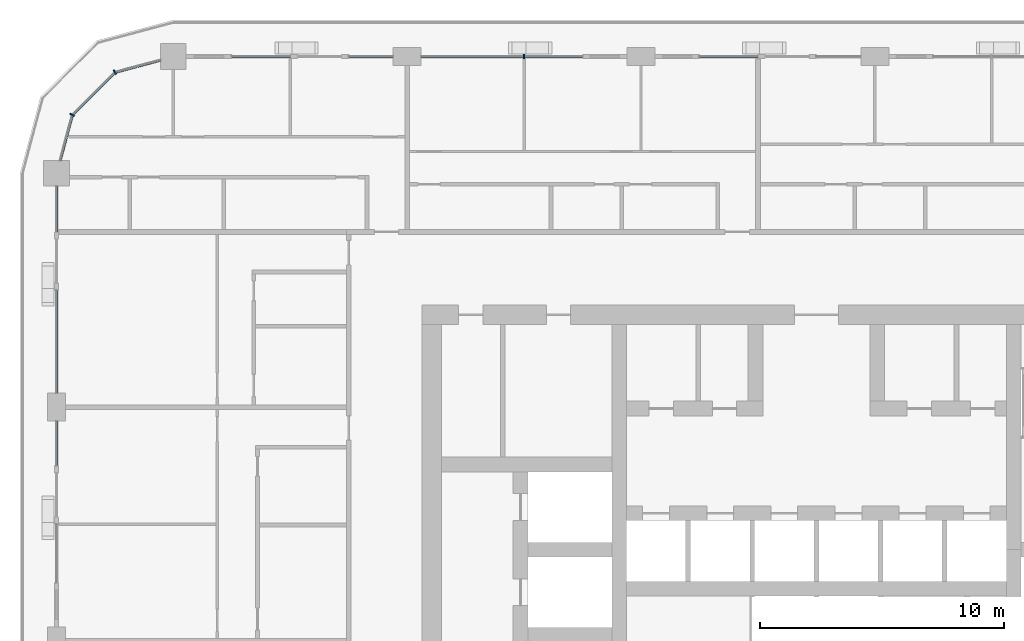
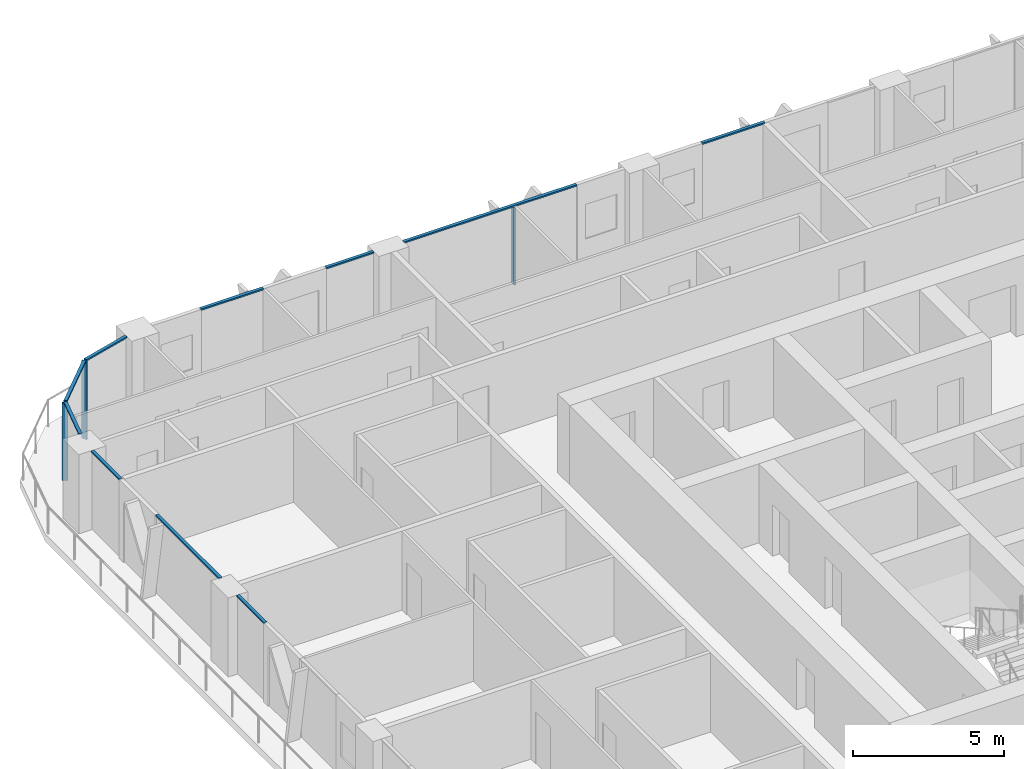
# One storey, part 5 of 22: 13 members, 6 elements without a shape of their own.
"""IFC4 building model written with IfcOpenShell, lengths in metres."""

from ifc_helpers import new_model, si_unit, direction, frame, origin, origin_2d, place, context, subcontext, project, spatial, rectangle, extrude, material, layer, layer_set, material_profile, profile_set, type_object, element, aggregate, save


model = new_model("IFC4")

# Units and contexts
model_context = context("Model", 3, precision=1e-05, world=origin(), true_north=direction((0.0, 1.0)))
body_context = subcontext(model_context, "Body", "Model", "MODEL_VIEW")
ifc_project = project(units=[si_unit("LENGTHUNIT", "METRE"), si_unit("AREAUNIT", "SQUARE_METRE"), si_unit("VOLUMEUNIT", "CUBIC_METRE"), si_unit("PLANEANGLEUNIT", "RADIAN"), si_unit("MASSUNIT", "GRAM", prefix="KILO")], contexts=[model_context])

# Site, building, storey
site_placement = place(None, origin())
site = spatial("IfcSite", under=ifc_project, at=site_placement, CompositionType="ELEMENT")
building_placement = place(site_placement, origin())
building = spatial("IfcBuilding", under=site, at=building_placement, Name="Madar Terraces", CompositionType="ELEMENT")
storey_placement = place(building_placement, frame((0.0, 0.0, 149.0)))
storey = spatial("IfcBuildingStorey", under=building, at=storey_placement, Name="L38", CompositionType="ELEMENT", Elevation=149.0)

# Curtain wall, member
ifc_material_1 = material(Name="Glass, ceramic frit dark grey, with black aluminium frame", Category="aluminium")
ifc_layer = layer(ifc_material_1, 0.199951171875)
ifc_layer_set = layer_set([ifc_layer], Name="Facade curtain wall, fritted glass")
curtain_wall_type = type_object("IfcCurtainWallType", Name="Facade curtain wall, fritted glass", PredefinedType="NOTDEFINED", material=ifc_layer_set)
curtain_wall_1_placement = place(storey_placement, origin())
curtain_wall_1 = element("IfcCurtainWall", 1, at=curtain_wall_1_placement, inside=storey, type_object=curtain_wall_type, Name="Outer skin curtain wall north bay 4", PredefinedType="NOTDEFINED")
ifc_material_2 = material(Name="Aluminium, black anodised", Category="aluminium")
ifc_material_profile_1 = material_profile(ifc_material_2, rectangle(XDim=0.199951171875, YDim=0.06005859375, at=origin_2d()), Name="Facade mullion 60x200")
ifc_profile_set_1 = profile_set([ifc_material_profile_1], Name="Aluminium, black anodised")
member_type_1 = type_object("IfcMemberType", Name="Facade mullion 60x200", PredefinedType="MULLION", material=ifc_profile_set_1)
member_1_placement = place(storey_placement, frame((19.199951171875, 48.0, 0.0), z_axis=(0.0, 0.0, 1.0), x_axis=(0.0, -1.0, 0.0)))
member_1 = element("IfcMember", 2, at=member_1_placement, type_object=member_type_1, Name="Mullion 1", PredefinedType="MULLION", context=body_context, shape_type="SweptSolid", body=[
    extrude(rectangle(XDim=0.199951171875, YDim=0.06005859375, at=origin_2d()), origin(), (0.0, 0.0, 1.0), 3.139892578125),
])

# Curtain wall, members
curtain_wall_2_placement = place(storey_placement, origin())
curtain_wall_2 = element("IfcCurtainWall", 3, at=curtain_wall_2_placement, inside=storey, type_object=curtain_wall_type, Name="Outer skin curtain wall north-west corner", PredefinedType="NOTDEFINED")
member_2_placement = place(storey_placement, frame((2.39990234375, 47.35693359375, 0.0), z_axis=(0.0, 0.0, 1.0), x_axis=(0.499999989586, -0.866025409797, 0.0)))
member_2 = element("IfcMember", 4, at=member_2_placement, type_object=member_type_1, Name="Mullion 1", PredefinedType="MULLION", context=body_context, shape_type="SweptSolid", body=[
    extrude(rectangle(XDim=0.199951171875, YDim=0.06005859375, at=origin_2d()), origin(), (0.0, 0.0, 1.0), 3.139892578125),
])
member_3_placement = place(storey_placement, frame((0.64306640625, 45.60009765625, 0.0), z_axis=(0.0, 0.0, 1.0), x_axis=(0.866025409797, -0.499999989586, 0.0)))
member_3 = element("IfcMember", 5, at=member_3_placement, type_object=member_type_1, Name="Mullion 2", PredefinedType="MULLION", context=body_context, shape_type="SweptSolid", body=[
    extrude(rectangle(XDim=0.199951171875, YDim=0.06005859375, at=origin_2d()), origin(), (0.0, 0.0, 1.0), 3.139892578125),
])

# Curtain wall, member
curtain_wall_3_placement = place(storey_placement, origin())
curtain_wall_3 = element("IfcCurtainWall", 6, at=curtain_wall_3_placement, inside=storey, type_object=curtain_wall_type, Name="Outer skin curtain wall north bay 3", PredefinedType="NOTDEFINED")
ifc_material_3 = material(Name="Aluminium, black anodised", Category="aluminium")
ifc_material_profile_2 = material_profile(ifc_material_3, rectangle(XDim=0.1201171875, YDim=0.06005859375, at=origin_2d()), Name="Facade transom 60x120")
ifc_profile_set_2 = profile_set([ifc_material_profile_2], Name="Aluminium, black anodised")
member_type_2 = type_object("IfcMemberType", Name="Facade transom 60x120", PredefinedType="USERDEFINED", material=ifc_profile_set_2)
member_4_placement = place(storey_placement, frame((28.800048828125, 48.0, 3.169921875), z_axis=(-1.0, 0.0, 0.0), x_axis=(0.0, -1.0, 0.0)))
member_4 = element("IfcMember", 7, at=member_4_placement, type_object=member_type_2, Name="Transom 2", ObjectType="TRANSOM", PredefinedType="USERDEFINED", context=body_context, shape_type="SweptSolid", body=[
    extrude(rectangle(XDim=0.1201171875, YDim=0.06005859375, at=origin_2d()), origin(), (0.0, 0.0, 1.0), 2.400146484375),
])
aggregate(curtain_wall_3, [member_4])

# Member
member_5_placement = place(storey_placement, frame((21.60009765625, 48.0, 3.169921875), z_axis=(-1.0, 0.0, 0.0), x_axis=(0.0, -1.0, 0.0)))
member_5 = element("IfcMember", 8, at=member_5_placement, type_object=member_type_2, Name="Transom 1", ObjectType="TRANSOM", PredefinedType="USERDEFINED", context=body_context, shape_type="SweptSolid", body=[
    extrude(rectangle(XDim=0.1201171875, YDim=0.06005859375, at=origin_2d()), origin(), (0.0, 0.0, 1.0), 6.625),
])

aggregate(curtain_wall_1, [member_1, member_5])

# Curtain wall, members
curtain_wall_4_placement = place(storey_placement, origin())
curtain_wall_4 = element("IfcCurtainWall", 9, at=curtain_wall_4_placement, inside=storey, type_object=curtain_wall_type, Name="Outer skin curtain wall north bay 5", PredefinedType="NOTDEFINED")
member_6_placement = place(storey_placement, frame((13.824951171875, 48.0, 3.169921875), z_axis=(-1.0, 0.0, 0.0), x_axis=(0.0, -1.0, 0.0)))
member_6 = element("IfcMember", 10, at=member_6_placement, type_object=member_type_2, Name="Transom 1", ObjectType="TRANSOM", PredefinedType="USERDEFINED", context=body_context, shape_type="SweptSolid", body=[
    extrude(rectangle(XDim=0.1201171875, YDim=0.06005859375, at=origin_2d()), origin(), (0.0, 0.0, 1.0), 1.824951171875),
])
member_7_placement = place(storey_placement, frame((9.60009765625, 48.0, 3.169921875), z_axis=(-1.0, 0.0, 0.0), x_axis=(0.0, -1.0, 0.0)))
member_7 = element("IfcMember", 11, at=member_7_placement, type_object=member_type_2, Name="Transom 2", ObjectType="TRANSOM", PredefinedType="USERDEFINED", context=body_context, shape_type="SweptSolid", body=[
    extrude(rectangle(XDim=0.1201171875, YDim=0.06005859375, at=origin_2d()), origin(), (0.0, 0.0, 1.0), 2.400146484375),
])
aggregate(curtain_wall_4, [member_6, member_7])

curtain_wall_5_placement = place(storey_placement, origin())
curtain_wall_5 = element("IfcCurtainWall", 12, at=curtain_wall_5_placement, inside=storey, type_object=curtain_wall_type, Name="Outer skin curtain wall west bay 1", PredefinedType="NOTDEFINED")
member_8_placement = place(storey_placement, frame((0.0, 42.675048828125, 3.169921875), z_axis=(0.0, -1.0, 0.0), x_axis=(1.0, 0.0, 0.0)))
member_8 = element("IfcMember", 13, at=member_8_placement, type_object=member_type_2, Name="Transom 1", ObjectType="TRANSOM", PredefinedType="USERDEFINED", context=body_context, shape_type="SweptSolid", body=[
    extrude(rectangle(XDim=0.1201171875, YDim=0.06005859375, at=origin_2d()), origin(), (0.0, 0.0, 1.0), 1.875),
])
member_9_placement = place(storey_placement, frame((0.0, 38.39990234375, 3.169921875), z_axis=(0.0, -1.0, 0.0), x_axis=(1.0, 0.0, 0.0)))
member_9 = element("IfcMember", 14, at=member_9_placement, type_object=member_type_2, Name="Transom 2", ObjectType="TRANSOM", PredefinedType="USERDEFINED", context=body_context, shape_type="SweptSolid", body=[
    extrude(rectangle(XDim=0.1201171875, YDim=0.06005859375, at=origin_2d()), origin(), (0.0, 0.0, 1.0), 4.224853515625),
])
aggregate(curtain_wall_5, [member_8, member_9])

# Curtain wall, member
curtain_wall_6_placement = place(storey_placement, origin())
curtain_wall_6 = element("IfcCurtainWall", 15, at=curtain_wall_6_placement, inside=storey, type_object=curtain_wall_type, Name="Outer skin curtain wall west bay 2", PredefinedType="NOTDEFINED")
member_10_placement = place(storey_placement, frame((0.0, 33.02490234375, 3.169921875), z_axis=(0.0, -1.0, 0.0), x_axis=(1.0, 0.0, 0.0)))
member_10 = element("IfcMember", 16, at=member_10_placement, type_object=member_type_2, Name="Transom 1", ObjectType="TRANSOM", PredefinedType="USERDEFINED", context=body_context, shape_type="SweptSolid", body=[
    extrude(rectangle(XDim=0.1201171875, YDim=0.06005859375, at=origin_2d()), origin(), (0.0, 0.0, 1.0), 1.824951171875),
])
aggregate(curtain_wall_6, [member_10])

# Member
member_11_placement = place(storey_placement, frame((4.27490234375, 47.859375, 3.169921875), z_axis=(-0.965924671538, -0.258823354654, 0.0), x_axis=(0.258823354654, -0.965924671538, 0.0)))
member_11 = element("IfcMember", 17, at=member_11_placement, type_object=member_type_2, Name="Transom 1", ObjectType="TRANSOM", PredefinedType="USERDEFINED", context=body_context, shape_type="SweptSolid", body=[
    extrude(rectangle(XDim=0.1201171875, YDim=0.06005859375, at=origin_2d()), origin(), (0.0, 0.0, 1.0), 1.9111328125),
])

member_12_placement = place(storey_placement, frame((2.37890625, 47.335693359375, 3.169921875), z_axis=(-0.707106781187, -0.707106781187, 0.0), x_axis=(0.707106781187, -0.707106781187, 0.0)))
member_12 = element("IfcMember", 18, at=member_12_placement, type_object=member_type_2, Name="Transom 2", ObjectType="TRANSOM", PredefinedType="USERDEFINED", context=body_context, shape_type="SweptSolid", body=[
    extrude(rectangle(XDim=0.1201171875, YDim=0.06005859375, at=origin_2d()), origin(), (0.0, 0.0, 1.0), 2.4248046875),
])

member_13_placement = place(storey_placement, frame((0.63525390625, 45.571044921875, 3.169921875), z_axis=(-0.258823354654, -0.965924671538, 0.0), x_axis=(0.965924671538, -0.258823354654, 0.0)))
member_13 = element("IfcMember", 19, at=member_13_placement, type_object=member_type_2, Name="Transom 3", ObjectType="TRANSOM", PredefinedType="USERDEFINED", context=body_context, shape_type="SweptSolid", body=[
    extrude(rectangle(XDim=0.1201171875, YDim=0.06005859375, at=origin_2d()), origin(), (0.0, 0.0, 1.0), 1.9111328125),
])

aggregate(curtain_wall_2, [member_2, member_11, member_3, member_12, member_13])

save(model, "model.ifc")
